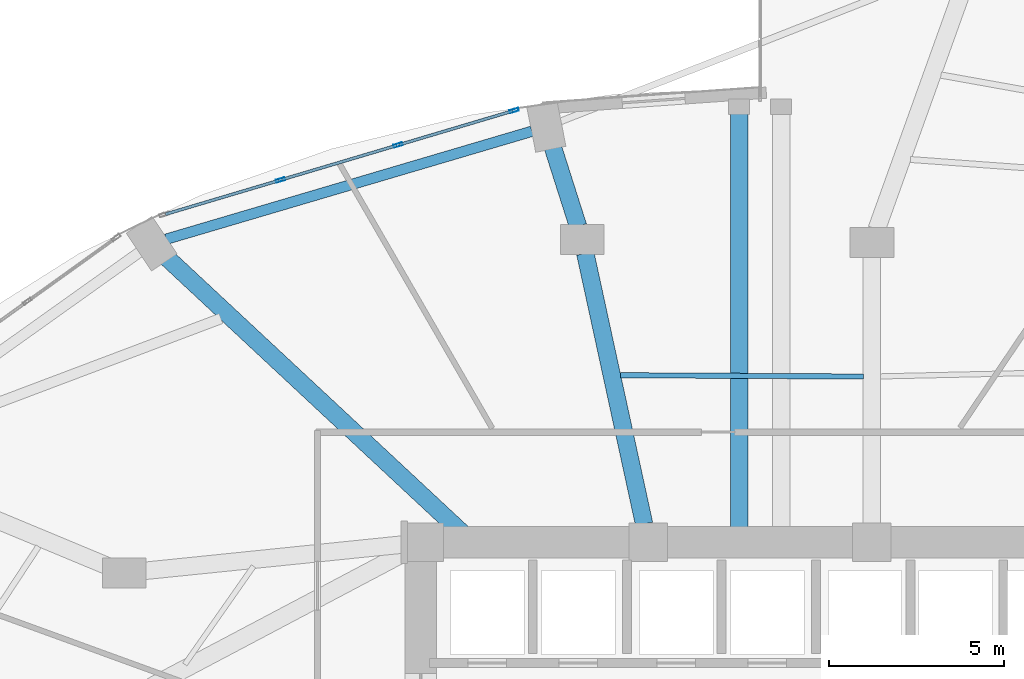
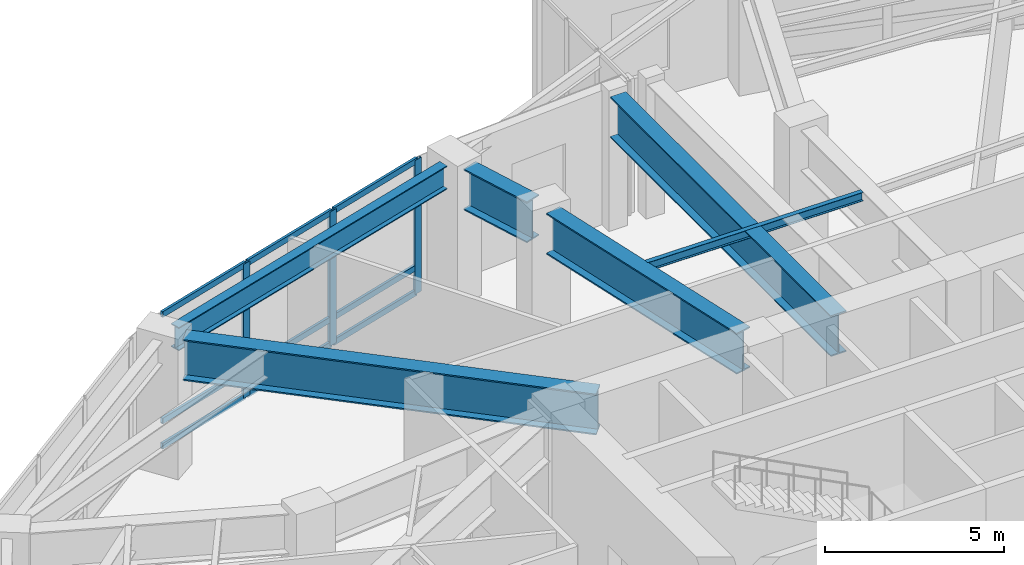
# One storey, part 14 of 24: 12 members, 6 beams, 1 element without a shape of its own.
"""IFC4 building model written with IfcOpenShell, lengths in metres."""

from ifc_helpers import new_model, si_unit, direction, frame, origin, origin_2d, place, context, subcontext, project, spatial, hollow_rectangle, i_section, extrude, material, layer, layer_set, material_profile, profile_set, type_object, element, aggregate, save


model = new_model("IFC4")

# Units and contexts
model_context = context("Model", 3, precision=1e-05, world=origin(), true_north=direction((0.0, 1.0)))
body_context = subcontext(model_context, "Body", "Model", "MODEL_VIEW")
ifc_project = project(units=[si_unit("LENGTHUNIT", "METRE"), si_unit("AREAUNIT", "SQUARE_METRE"), si_unit("VOLUMEUNIT", "CUBIC_METRE"), si_unit("PLANEANGLEUNIT", "RADIAN"), si_unit("MASSUNIT", "GRAM", prefix="KILO")], contexts=[model_context])

# Site, building, storey
site_placement = place(None, origin())
site = spatial("IfcSite", under=ifc_project, at=site_placement, CompositionType="ELEMENT")
building_placement = place(site_placement, origin())
building = spatial("IfcBuilding", under=site, at=building_placement, Name="Lazwardi Medical Tower", CompositionType="ELEMENT")
storey_placement = place(building_placement, frame((0.0, 0.0, 20.39990234375)))
storey = spatial("IfcBuildingStorey", under=building, at=storey_placement, Name="L04", CompositionType="ELEMENT", Elevation=20.39990234375)

# Beams
ifc_material_1 = material(Name="Steel S355", Category="steel")
ifc_material_profile_1 = material_profile(ifc_material_1, i_section(OverallWidth=0.300048828125, OverallDepth=0.800048828125, WebThickness=0.017578125, FlangeThickness=0.032958984375, at=origin_2d()), Name="HEB 800")
ifc_profile_set_1 = profile_set([ifc_material_profile_1], Name="Steel S355")
beam_type_1 = type_object("IfcBeamType", Name="BM-RB-P1", PredefinedType="BEAM", material=ifc_profile_set_1)
beam_1_placement = place(storey_placement, frame((29.481201171875, 47.349853515625, 4.18017578125), z_axis=(-0.959103395471, -0.283055960537, 0.0), x_axis=(0.283055960537, -0.959103395471, 0.0)))
element("IfcBeam", 1, at=beam_1_placement, inside=storey, type_object=beam_type_1, Name="Ring beam RB-01 B09 L04", PredefinedType="BEAM", context=body_context, shape_type="SweptSolid", body=[
    extrude(i_section(OverallWidth=0.300048828125, OverallDepth=0.800048828125, WebThickness=0.017578125, FlangeThickness=0.032958984375, at=origin_2d()), origin(), (0.0, 0.0, 1.0), 10.904052734375),
])
ifc_material_profile_2 = material_profile(ifc_material_1, i_section(OverallWidth=0.14990234375, OverallDepth=0.300048828125, WebThickness=0.007080078125, FlangeThickness=0.0107421875, at=origin_2d()), Name="IPE 300")
ifc_profile_set_2 = profile_set([ifc_material_profile_2], Name="Steel S355")
beam_type_2 = type_object("IfcBeamType", Name="BM-SJ-03", PredefinedType="JOIST", material=ifc_profile_set_2)
beam_2_placement = place(storey_placement, frame((38.955078125, 40.33837890625, 4.43017578125), z_axis=(-0.999984978645, 0.005481102444, 0.0), x_axis=(-0.005481102444, -0.999984978645, 0.0)))
element("IfcBeam", 2, at=beam_2_placement, inside=storey, type_object=beam_type_2, Name="Secondary joist SJ-03 RI1 B08 L04", PredefinedType="JOIST", context=body_context, shape_type="SweptSolid", body=[
    extrude(i_section(OverallWidth=0.14990234375, OverallDepth=0.300048828125, WebThickness=0.007080078125, FlangeThickness=0.0107421875, at=origin_2d()), origin(), (0.0, 0.0, 1.0), 6.948486328125),
])
ifc_material_2 = material(Name="Steel S460", Category="steel")
ifc_material_profile_3 = material_profile(ifc_material_2, i_section(OverallWidth=0.5, OverallDepth=1.39990234375, WebThickness=0.028076171875, FlangeThickness=0.044921875, at=origin_2d()), Name="PG 1400x500")
ifc_profile_set_3 = profile_set([ifc_material_profile_3], Name="Steel S460")
beam_type_3 = type_object("IfcBeamType", Name="BM-TG-01", PredefinedType="BEAM", material=ifc_profile_set_3)
beam_3_placement = place(storey_placement, frame((35.39990234375, 47.840087890625, 3.880126953125), z_axis=(0.0, -1.0, 0.0), x_axis=(1.0, 0.0, 0.0)))
element("IfcBeam", 3, at=beam_3_placement, inside=storey, type_object=beam_type_3, Name="Transfer girder TG-01 PL1 L04", PredefinedType="BEAM", context=body_context, shape_type="SweptSolid", body=[
    extrude(i_section(OverallWidth=0.5, OverallDepth=1.39990234375, WebThickness=0.028076171875, FlangeThickness=0.044921875, at=origin_2d()), origin(), (0.0, 0.0, 1.0), 12.340087890625),
])
beam_4_placement = place(storey_placement, frame((30.06982421875, 46.9189453125, 3.880126953125), z_axis=(0.303510012158, -0.952828249224, 0.0), x_axis=(0.952828249224, 0.303510012158, 0.0)))
element("IfcBeam", 4, at=beam_4_placement, inside=storey, type_object=beam_type_3, Name="Transfer girder TG-01 M09A L04", PredefinedType="BEAM", context=body_context, shape_type="SweptSolid", body=[
    extrude(i_section(OverallWidth=0.5, OverallDepth=1.39990234375, WebThickness=0.028076171875, FlangeThickness=0.044921875, at=origin_2d()), origin(), (0.0, 0.0, 1.0), 2.401123046875),
])
beam_5_placement = place(storey_placement, frame((31.0048828125, 43.859130859375, 3.880126953125), z_axis=(0.212379713587, -0.977187217096, 0.0), x_axis=(0.977187217096, 0.212379713587, 0.0)))
element("IfcBeam", 5, at=beam_5_placement, inside=storey, type_object=beam_type_3, Name="Transfer girder TG-01 M09B L04", PredefinedType="BEAM", context=body_context, shape_type="SweptSolid", body=[
    extrude(i_section(OverallWidth=0.5, OverallDepth=1.39990234375, WebThickness=0.028076171875, FlangeThickness=0.044921875, at=origin_2d()), origin(), (0.0, 0.0, 1.0), 7.9169921875),
])
beam_6_placement = place(storey_placement, frame((19.034912109375, 43.746337890625, 3.880126953125), z_axis=(0.731583491752, -0.681751857054, 0.0), x_axis=(0.681751857054, 0.731583491752, 0.0)))
element("IfcBeam", 6, at=beam_6_placement, inside=storey, type_object=beam_type_3, Name="Transfer girder TG-01 M10 L04", PredefinedType="BEAM", context=body_context, shape_type="SweptSolid", body=[
    extrude(i_section(OverallWidth=0.5, OverallDepth=1.39990234375, WebThickness=0.028076171875, FlangeThickness=0.044921875, at=origin_2d()), origin(), (0.0, 0.0, 1.0), 11.8759765625),
])

# Curtain wall, members
ifc_material_3 = material(Name="Anodised bronze aluminium and solar control glazing", Category="aluminium")
ifc_layer = layer(ifc_material_3, 0.219970703125)
ifc_layer_set = layer_set([ifc_layer], Name="Anodised bronze aluminium and solar control glazing")
curtain_wall_type = type_object("IfcCurtainWallType", Name="CW-SYS-01", PredefinedType="NOTDEFINED", material=ifc_layer_set)
curtain_wall_placement = place(storey_placement, origin())
curtain_wall = element("IfcCurtainWall", 7, at=curtain_wall_placement, inside=storey, type_object=curtain_wall_type, Name="L04 Unitised bronze curtain wall CW-01", PredefinedType="NOTDEFINED")
ifc_material_4 = material(Name="Anodised bronze aluminium", Category="aluminium")
ifc_material_profile_4 = material_profile(ifc_material_4, hollow_rectangle(XDim=0.0849609375, YDim=0.260009765625, WallThickness=0.0048828125, at=origin_2d()), Name="ALU-MULLION 260x85x5")
ifc_profile_set_4 = profile_set([ifc_material_profile_4], Name="Anodised bronze aluminium")
member_type_1 = type_object("IfcMemberType", Name="CW-MUL-02", PredefinedType="MULLION", material=ifc_profile_set_4)
member_1_placement = place(storey_placement, frame((28.97119140625, 47.94189453125, 0.0), z_axis=(0.0, 0.0, 1.0), x_axis=(0.285047195531, -0.958513482597, 0.0)))
member_1 = element("IfcMember", 8, at=member_1_placement, type_object=member_type_1, Name="CW-01 mullion 1", PredefinedType="MULLION", context=body_context, shape_type="SweptSolid", body=[
    extrude(hollow_rectangle(XDim=0.0849609375, YDim=0.260009765625, WallThickness=0.0048828125, at=origin_2d()), origin(), (0.0, 0.0, 1.0), 4.580078125),
])
member_2_placement = place(storey_placement, frame((25.649658203125, 46.9541015625, 0.0), z_axis=(0.0, 0.0, 1.0), x_axis=(0.285047195531, -0.958513482597, 0.0)))
member_2 = element("IfcMember", 9, at=member_2_placement, type_object=member_type_1, Name="CW-01 mullion 2", PredefinedType="MULLION", context=body_context, shape_type="SweptSolid", body=[
    extrude(hollow_rectangle(XDim=0.0849609375, YDim=0.260009765625, WallThickness=0.0048828125, at=origin_2d()), origin(), (0.0, 0.0, 1.0), 4.580078125),
])
member_3_placement = place(storey_placement, frame((22.28759765625, 45.9541015625, 0.0), z_axis=(0.0, 0.0, 1.0), x_axis=(0.285047195531, -0.958513482597, 0.0)))
member_3 = element("IfcMember", 10, at=member_3_placement, type_object=member_type_1, Name="CW-01 mullion 3", PredefinedType="MULLION", context=body_context, shape_type="SweptSolid", body=[
    extrude(hollow_rectangle(XDim=0.0849609375, YDim=0.260009765625, WallThickness=0.0048828125, at=origin_2d()), origin(), (0.0, 0.0, 1.0), 4.580078125),
])
ifc_material_profile_5 = material_profile(ifc_material_4, hollow_rectangle(XDim=0.0849609375, YDim=0.199951171875, WallThickness=0.00439453125, at=origin_2d()), Name="ALU-TRANSOM 200x85x4.5")
ifc_profile_set_5 = profile_set([ifc_material_profile_5], Name="Anodised bronze aluminium")
member_type_2 = type_object("IfcMemberType", Name="CW-TRN-02", PredefinedType="USERDEFINED", material=ifc_profile_set_5)
member_4_placement = place(storey_placement, frame((28.930419921875, 47.9296875, 0.04248046875), z_axis=(-0.958505424522, -0.285074290603, 0.0), x_axis=(0.285074290603, -0.958505424522, 0.0)))
member_4 = element("IfcMember", 11, at=member_4_placement, type_object=member_type_2, Name="CW-01 transom 1.1", ObjectType="TRANSOM", PredefinedType="USERDEFINED", context=body_context, shape_type="SweptSolid", body=[
    extrude(hollow_rectangle(XDim=0.0849609375, YDim=0.199951171875, WallThickness=0.00439453125, at=origin_2d()), origin(), (0.0, 0.0, 1.0), 3.38037109375),
])
member_5_placement = place(storey_placement, frame((28.930419921875, 47.9296875, 0.900146484375), z_axis=(-0.958505424522, -0.285074290603, 0.0), x_axis=(0.285074290603, -0.958505424522, 0.0)))
member_5 = element("IfcMember", 12, at=member_5_placement, type_object=member_type_2, Name="CW-01 transom 1.2", ObjectType="TRANSOM", PredefinedType="USERDEFINED", context=body_context, shape_type="SweptSolid", body=[
    extrude(hollow_rectangle(XDim=0.0849609375, YDim=0.199951171875, WallThickness=0.00439453125, at=origin_2d()), origin(), (0.0, 0.0, 1.0), 3.38037109375),
])
member_6_placement = place(storey_placement, frame((28.930419921875, 47.9296875, 4.53759765625), z_axis=(-0.958505424522, -0.285074290603, 0.0), x_axis=(0.285074290603, -0.958505424522, 0.0)))
member_6 = element("IfcMember", 13, at=member_6_placement, type_object=member_type_2, Name="CW-01 transom 1.3", ObjectType="TRANSOM", PredefinedType="USERDEFINED", context=body_context, shape_type="SweptSolid", body=[
    extrude(hollow_rectangle(XDim=0.0849609375, YDim=0.199951171875, WallThickness=0.00439453125, at=origin_2d()), origin(), (0.0, 0.0, 1.0), 3.38037109375),
])
member_7_placement = place(storey_placement, frame((25.60888671875, 46.94189453125, 0.04248046875), z_axis=(-0.958518450342, -0.285030490219, 0.0), x_axis=(0.285030490219, -0.958518450342, 0.0)))
member_7 = element("IfcMember", 14, at=member_7_placement, type_object=member_type_2, Name="CW-01 transom 2.1", ObjectType="TRANSOM", PredefinedType="USERDEFINED", context=body_context, shape_type="SweptSolid", body=[
    extrude(hollow_rectangle(XDim=0.0849609375, YDim=0.199951171875, WallThickness=0.00439453125, at=origin_2d()), origin(), (0.0, 0.0, 1.0), 3.4228515625),
])
member_8_placement = place(storey_placement, frame((25.60888671875, 46.94189453125, 0.900146484375), z_axis=(-0.958518450342, -0.285030490219, 0.0), x_axis=(0.285030490219, -0.958518450342, 0.0)))
member_8 = element("IfcMember", 15, at=member_8_placement, type_object=member_type_2, Name="CW-01 transom 2.2", ObjectType="TRANSOM", PredefinedType="USERDEFINED", context=body_context, shape_type="SweptSolid", body=[
    extrude(hollow_rectangle(XDim=0.0849609375, YDim=0.199951171875, WallThickness=0.00439453125, at=origin_2d()), origin(), (0.0, 0.0, 1.0), 3.4228515625),
])
member_9_placement = place(storey_placement, frame((25.60888671875, 46.94189453125, 4.53759765625), z_axis=(-0.958518450342, -0.285030490219, 0.0), x_axis=(0.285030490219, -0.958518450342, 0.0)))
member_9 = element("IfcMember", 16, at=member_9_placement, type_object=member_type_2, Name="CW-01 transom 2.3", ObjectType="TRANSOM", PredefinedType="USERDEFINED", context=body_context, shape_type="SweptSolid", body=[
    extrude(hollow_rectangle(XDim=0.0849609375, YDim=0.199951171875, WallThickness=0.00439453125, at=origin_2d()), origin(), (0.0, 0.0, 1.0), 3.4228515625),
])
member_10_placement = place(storey_placement, frame((22.246826171875, 45.942138671875, 0.04248046875), z_axis=(-0.958505424522, -0.285074290603, 0.0), x_axis=(0.285074290603, -0.958505424522, 0.0)))
member_10 = element("IfcMember", 17, at=member_10_placement, type_object=member_type_2, Name="CW-01 transom 3.1", ObjectType="TRANSOM", PredefinedType="USERDEFINED", context=body_context, shape_type="SweptSolid", body=[
    extrude(hollow_rectangle(XDim=0.0849609375, YDim=0.199951171875, WallThickness=0.00439453125, at=origin_2d()), origin(), (0.0, 0.0, 1.0), 3.38037109375),
])
member_11_placement = place(storey_placement, frame((22.246826171875, 45.942138671875, 0.900146484375), z_axis=(-0.958505424522, -0.285074290603, 0.0), x_axis=(0.285074290603, -0.958505424522, 0.0)))
member_11 = element("IfcMember", 18, at=member_11_placement, type_object=member_type_2, Name="CW-01 transom 3.2", ObjectType="TRANSOM", PredefinedType="USERDEFINED", context=body_context, shape_type="SweptSolid", body=[
    extrude(hollow_rectangle(XDim=0.0849609375, YDim=0.199951171875, WallThickness=0.00439453125, at=origin_2d()), origin(), (0.0, 0.0, 1.0), 3.38037109375),
])
member_12_placement = place(storey_placement, frame((22.246826171875, 45.942138671875, 4.53759765625), z_axis=(-0.958505424522, -0.285074290603, 0.0), x_axis=(0.285074290603, -0.958505424522, 0.0)))
member_12 = element("IfcMember", 19, at=member_12_placement, type_object=member_type_2, Name="CW-01 transom 3.3", ObjectType="TRANSOM", PredefinedType="USERDEFINED", context=body_context, shape_type="SweptSolid", body=[
    extrude(hollow_rectangle(XDim=0.0849609375, YDim=0.199951171875, WallThickness=0.00439453125, at=origin_2d()), origin(), (0.0, 0.0, 1.0), 3.38037109375),
])
aggregate(curtain_wall, [member_1, member_2, member_3, member_4, member_5, member_6, member_7, member_8, member_9, member_10, member_11, member_12])

save(model, "model.ifc")
